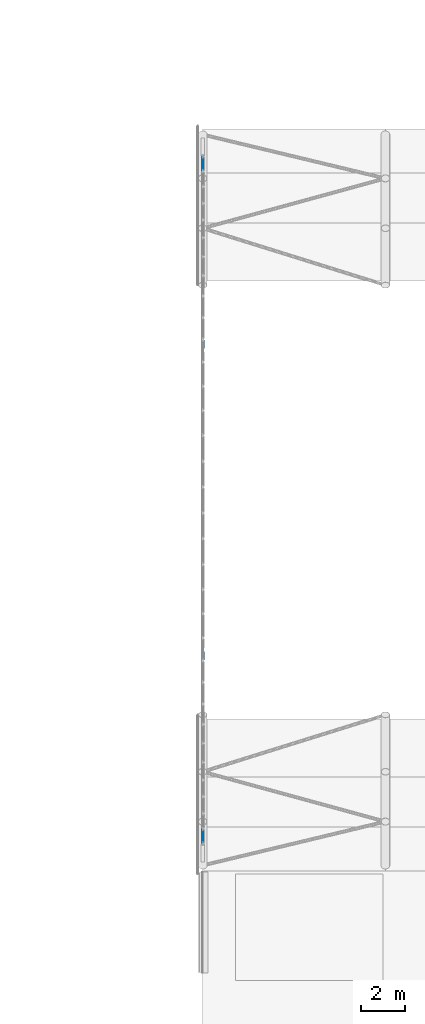
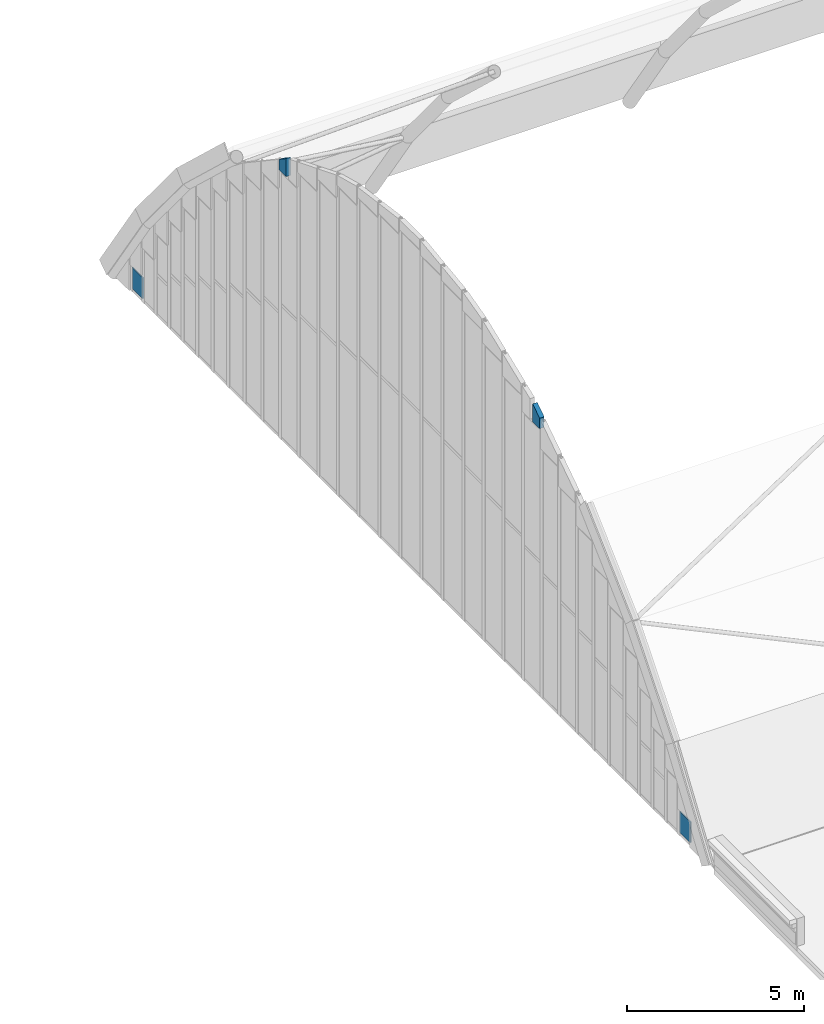
# One storey, part 63 of 77: 4 plates, 1 element without a shape of its own.
"""IFC4 building model written with IfcOpenShell, lengths in metres."""

from ifc_helpers import new_model, si_unit, direction, frame, origin, origin_2d, place, context, subcontext, project, spatial, polyline, rectangle, outline, extrude, material, layer, layer_set, type_object, element, aggregate, save


model = new_model("IFC4")

# Units and contexts
model_context = context("Model", 3, precision=1e-05, world=origin(), true_north=direction((0.0, 1.0)))
body_context = subcontext(model_context, "Body", "Model", "MODEL_VIEW")
ifc_project = project(units=[si_unit("LENGTHUNIT", "METRE"), si_unit("AREAUNIT", "SQUARE_METRE"), si_unit("VOLUMEUNIT", "CUBIC_METRE"), si_unit("PLANEANGLEUNIT", "RADIAN"), si_unit("MASSUNIT", "GRAM", prefix="KILO")], contexts=[model_context])

# Site, building, storey
site_placement = place(None, origin())
site = spatial("IfcSite", under=ifc_project, at=site_placement, CompositionType="ELEMENT")
building_placement = place(site_placement, origin())
building = spatial("IfcBuilding", under=site, at=building_placement, Name="Catenary Quay Ferry Terminal", CompositionType="ELEMENT")
storey_placement = place(building_placement, frame((0.0, 0.0, 10.800048828125)))
storey = spatial("IfcBuildingStorey", under=building, at=storey_placement, Name="L02", CompositionType="ELEMENT", Elevation=10.800048828125)

# Curtain wall, plates
ifc_material_1 = material(Name="Aluminium and glass", Category="aluminium")
curtain_wall_type = type_object("IfcCurtainWallType", Name="CWA", PredefinedType="NOTDEFINED", material=ifc_material_1)
curtain_wall_placement = place(storey_placement, origin())
curtain_wall = element("IfcCurtainWall", 1, at=curtain_wall_placement, inside=storey, type_object=curtain_wall_type, Name="Arch departure hall curtain wall CW17", PredefinedType="NOTDEFINED")
ifc_material_2 = material(Name="Glass", Category="glass")
ifc_layer_1 = layer(ifc_material_2, 0.035888671875)
ifc_layer_set_1 = layer_set([ifc_layer_1], Name="PN4")
plate_type_1 = type_object("IfcPlateType", Name="PN4", PredefinedType="CURTAIN_PANEL", material=ifc_layer_set_1)
plate_1_placement = place(storey_placement, frame((25.199951171875, 110.543212890625, 0.099853515625), z_axis=(0.0, 0.0, 1.0), x_axis=(0.0, 1.0, 0.0)))
plate_1 = element("IfcPlate", 2, at=plate_1_placement, type_object=plate_type_1, Name="CW17 panel 1.1", PredefinedType="CURTAIN_PANEL", context=body_context, shape_type="SweptSolid", body=[
    extrude(rectangle(XDim=0.611572265625, YDim=0.035888671875, at=origin_2d()), origin(), (0.0, 0.0, 1.0), 0.7255859375),
])
plate_2_placement = place(storey_placement, frame((25.199951171875, 141.456787109375, 0.099853515625), z_axis=(0.0, 0.0, 1.0), x_axis=(0.0, 1.0, 0.0)))
plate_2 = element("IfcPlate", 3, at=plate_2_placement, type_object=plate_type_1, Name="CW17 panel 33.1", PredefinedType="CURTAIN_PANEL", context=body_context, shape_type="SweptSolid", body=[
    extrude(rectangle(XDim=0.611572265625, YDim=0.035888671875, at=origin_2d()), origin(), (0.0, 0.0, 1.0), 0.7255859375),
])
ifc_material_3 = material(Name="Ceramic tile facing on insulated backing")
ifc_layer_2 = layer(ifc_material_3, 0.14990234375)
ifc_layer_set_2 = layer_set([ifc_layer_2], Name="PN7")
plate_type_2 = type_object("IfcPlateType", Name="PN7", PredefinedType="CURTAIN_PANEL", material=ifc_layer_set_2)
plate_3_placement = place(storey_placement, frame((25.199951171875, 118.642578125, 9.294189453125), z_axis=(0.0, 0.0, 1.0), x_axis=(0.0, 1.0, 0.0)))
plate_3 = element("IfcPlate", 4, at=plate_3_placement, type_object=plate_type_2, Name="CW17 spandrel panel 12", PredefinedType="CURTAIN_PANEL", context=body_context, shape_type="SweptSolid", body=[
    extrude(outline(polyline([(0.0, 0.0), (0.392333984375, 0.0), (0.392333984375, 0.62255859375), (0.0, 0.360107421875), (0.0, 0.0)])), frame((0.0, 0.074951171875, 0.0), z_axis=(0.0, -1.0, 0.0), x_axis=(1.0, 0.0, 0.0)), (0.0, 0.0, 1.0), 0.14990234375),
])
plate_4_placement = place(storey_placement, frame((25.199951171875, 132.965087890625, 9.294189453125), z_axis=(0.0, 0.0, 1.0), x_axis=(0.0, 1.0, 0.0)))
plate_4 = element("IfcPlate", 5, at=plate_4_placement, type_object=plate_type_2, Name="CW17 spandrel panel 26", PredefinedType="CURTAIN_PANEL", context=body_context, shape_type="SweptSolid", body=[
    extrude(outline(polyline([(0.0, 0.0), (0.392333984375, 0.0), (0.392333984375, 0.360107421875), (0.0, 0.62255859375), (0.0, 0.0)])), frame((0.0, 0.074951171875, 0.0), z_axis=(0.0, -1.0, 0.0), x_axis=(1.0, 0.0, 0.0)), (0.0, 0.0, 1.0), 0.14990234375),
])
aggregate(curtain_wall, [plate_1, plate_3, plate_4, plate_2])

save(model, "model.ifc")
